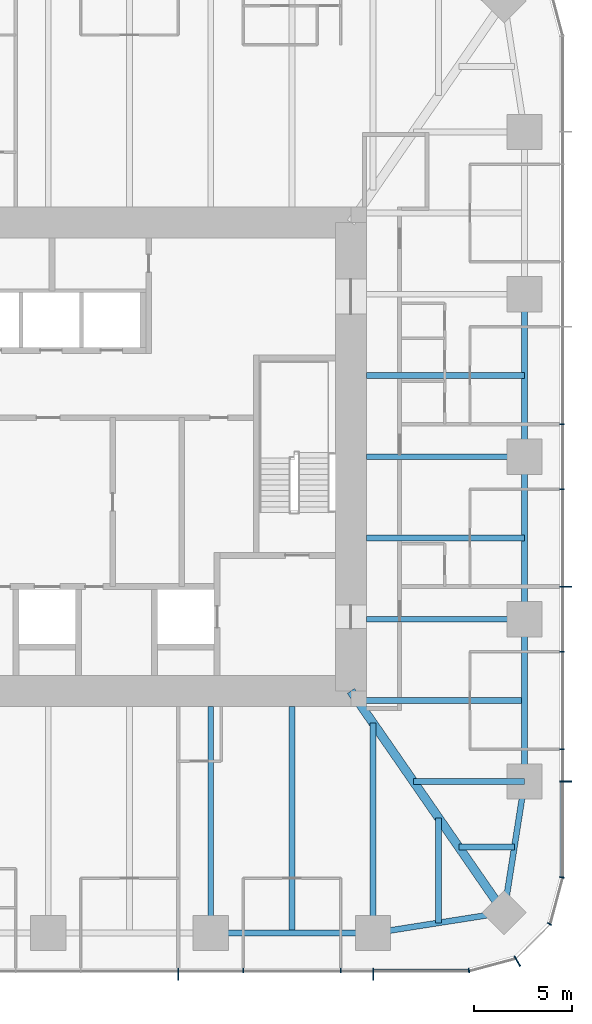
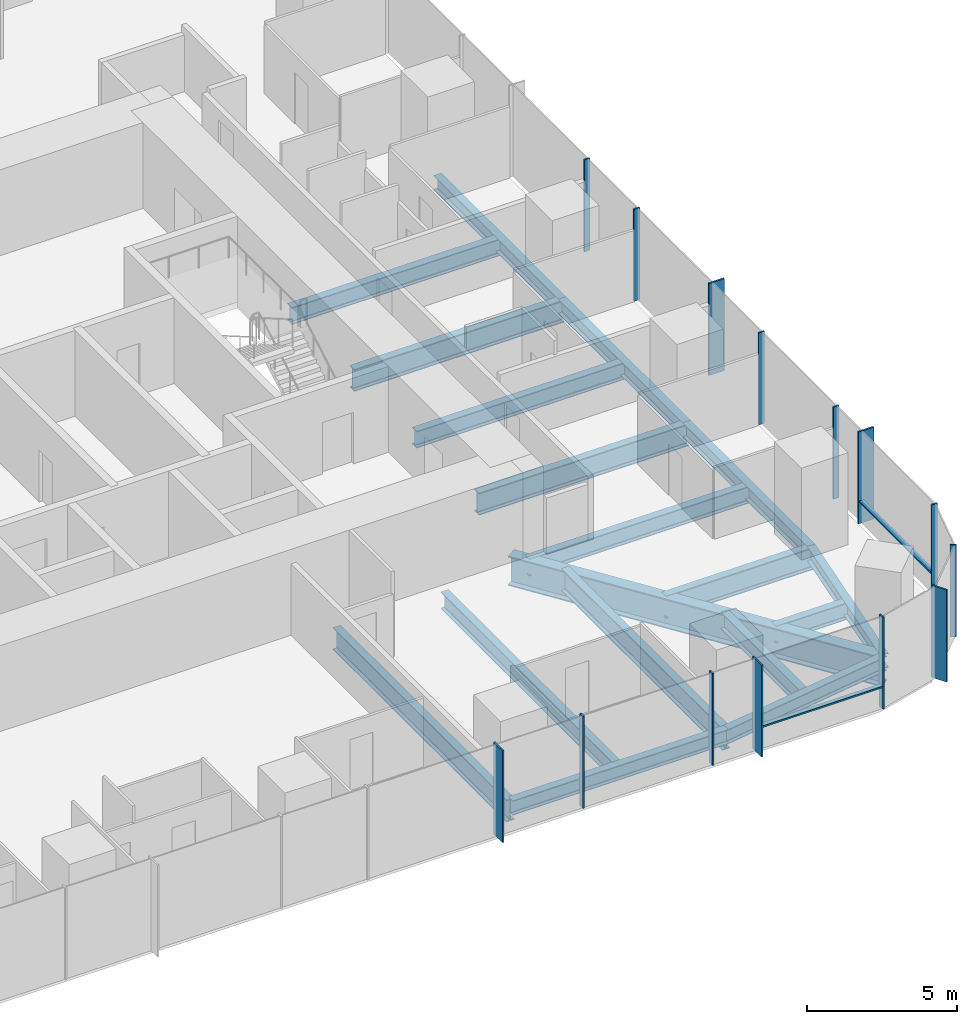
# One storey, part 4 of 12: 18 beams, 16 members, 3 elements without a shape of their own.
"""IFC4 building model written with IfcOpenShell, lengths in metres."""

from ifc_helpers import new_model, si_unit, direction, frame, origin, origin_2d, place, context, subcontext, project, spatial, rectangle, i_section, extrude, material, material_profile, profile_set, type_object, element, aggregate, save


model = new_model("IFC4")

# Units and contexts
model_context = context("Model", 3, precision=1e-05, world=origin(), true_north=direction((0.0, 1.0)))
body_context = subcontext(model_context, "Body", "Model", "MODEL_VIEW")
ifc_project = project(units=[si_unit("LENGTHUNIT", "METRE"), si_unit("AREAUNIT", "SQUARE_METRE"), si_unit("VOLUMEUNIT", "CUBIC_METRE"), si_unit("PLANEANGLEUNIT", "RADIAN"), si_unit("MASSUNIT", "GRAM", prefix="KILO")], contexts=[model_context])

# Site, building, storey
site_placement = place(None, origin())
site = spatial("IfcSite", under=ifc_project, at=site_placement, CompositionType="ELEMENT")
building_placement = place(site_placement, origin())
building = spatial("IfcBuilding", under=site, at=building_placement, Name="Khuree Lantern Residences", CompositionType="ELEMENT")
storey_placement = place(building_placement, frame((0.0, 0.0, 225.75)))
storey = spatial("IfcBuildingStorey", under=building, at=storey_placement, Name="L56", CompositionType="ELEMENT", Elevation=225.75)

# Beams
ifc_material_1 = material(Name="Steel S355", Category="steel")
ifc_material_profile_1 = material_profile(ifc_material_1, i_section(OverallWidth=0.300048828125, OverallDepth=0.68994140625, WebThickness=0.014404296875, FlangeThickness=0.027099609375, FilletRadius=0.027099609375, at=origin_2d()), Name="HE 700 A")
ifc_profile_set_1 = profile_set([ifc_material_profile_1], Name="Steel S355")
beam_type_1 = type_object("IfcBeamType", Name="B-32 SECONDARY BEAM HE 700 A", PredefinedType="BEAM", material=ifc_profile_set_1)
for number, where, z_axis, x_axis, name in (
    (1, (24.39990234375, 4.159912109375, -0.594970703125), (-1.0, 0.0, 0.0), (0.0, -1.0, 0.0), "Secondary beam E3"),
    (2, (24.39990234375, -4.159912109375, -0.594970703125), (-1.0, 0.0, 0.0), (0.0, -1.0, 0.0), "Secondary beam E4"),
):
    element("IfcBeam", number, at=place(storey_placement, frame(where, z_axis=z_axis, x_axis=x_axis)), inside=storey, type_object=beam_type_1, Name=name, PredefinedType="BEAM", context=body_context, shape_type="SweptSolid", body=[
        extrude(i_section(OverallWidth=0.300048828125, OverallDepth=0.68994140625, WebThickness=0.014404296875, FlangeThickness=0.027099609375, FilletRadius=0.027099609375, at=origin_2d()), origin(), (0.0, 0.0, 1.0), 8.099853515625),
    ])
beam_1_placement = place(storey_placement, frame((24.39990234375, -12.47998046875, -0.594970703125), z_axis=(-1.0, 0.0, 0.0), x_axis=(0.0, -1.0, 0.0)))
element("IfcBeam", 3, at=beam_1_placement, inside=storey, type_object=beam_type_1, Name="Secondary beam E5", PredefinedType="BEAM", context=body_context, shape_type="SweptSolid", body=[
    extrude(i_section(OverallWidth=0.300048828125, OverallDepth=0.68994140625, WebThickness=0.014404296875, FlangeThickness=0.027099609375, FilletRadius=0.027099609375, at=origin_2d()), origin(), (0.0, 0.0, 1.0), 8.56787109375),
])
beam_2_placement = place(storey_placement, frame((23.872802734375, -19.992919921875, -0.594970703125), z_axis=(-1.0, 0.0, 0.0), x_axis=(0.0, -1.0, 0.0)))
element("IfcBeam", 4, at=beam_2_placement, inside=storey, type_object=beam_type_1, Name="Secondary beam E6", PredefinedType="BEAM", context=body_context, shape_type="SweptSolid", body=[
    extrude(i_section(OverallWidth=0.300048828125, OverallDepth=0.68994140625, WebThickness=0.014404296875, FlangeThickness=0.027099609375, FilletRadius=0.027099609375, at=origin_2d()), origin(), (0.0, 0.0, 1.0), 2.845703125),
])
beam_3_placement = place(storey_placement, frame((19.992919921875, -23.872802734375, -0.594970703125), z_axis=(0.0, 1.0, 0.0), x_axis=(-1.0, 0.0, 0.0)))
element("IfcBeam", 5, at=beam_3_placement, inside=storey, type_object=beam_type_1, Name="Secondary beam S1", PredefinedType="BEAM", context=body_context, shape_type="SweptSolid", body=[
    extrude(i_section(OverallWidth=0.300048828125, OverallDepth=0.68994140625, WebThickness=0.014404296875, FlangeThickness=0.027099609375, FilletRadius=0.027099609375, at=origin_2d()), origin(), (0.0, 0.0, 1.0), 5.375732421875),
])
beam_4_placement = place(storey_placement, frame((12.47998046875, -24.39990234375, -0.594970703125), z_axis=(0.0, 1.0, 0.0), x_axis=(-1.0, 0.0, 0.0)))
element("IfcBeam", 6, at=beam_4_placement, inside=storey, type_object=beam_type_1, Name="Secondary beam S2", PredefinedType="BEAM", context=body_context, shape_type="SweptSolid", body=[
    extrude(i_section(OverallWidth=0.300048828125, OverallDepth=0.68994140625, WebThickness=0.014404296875, FlangeThickness=0.027099609375, FilletRadius=0.027099609375, at=origin_2d()), origin(), (0.0, 0.0, 1.0), 11.599853515625),
])
ifc_material_profile_2 = material_profile(ifc_material_1, i_section(OverallWidth=0.300048828125, OverallDepth=0.590087890625, WebThickness=0.012939453125, FlangeThickness=0.02490234375, FilletRadius=0.027099609375, at=origin_2d()), Name="HE 600 A")
ifc_profile_set_2 = profile_set([ifc_material_profile_2], Name="Steel S355")
beam_type_2 = type_object("IfcBeamType", Name="E-32 SPANDREL BEAM HE 600 A", PredefinedType="SPANDREL", material=ifc_profile_set_2)
for number, where, z_axis, x_axis, name in (
    (7, (24.39990234375, 8.320068359375, -0.544921875), (0.0, -1.0, 0.0), (1.0, 0.0, 0.0), "Spandrel beam E3"),
    (8, (24.39990234375, 0.0, -0.544921875), (0.0, -1.0, 0.0), (1.0, 0.0, 0.0), "Spandrel beam E4"),
):
    element("IfcBeam", number, at=place(storey_placement, frame(where, z_axis=z_axis, x_axis=x_axis)), inside=storey, type_object=beam_type_2, Name=name, PredefinedType="SPANDREL", context=body_context, shape_type="SweptSolid", body=[
        extrude(i_section(OverallWidth=0.300048828125, OverallDepth=0.590087890625, WebThickness=0.012939453125, FlangeThickness=0.02490234375, FilletRadius=0.027099609375, at=origin_2d()), origin(), (0.0, 0.0, 1.0), 8.320068359375),
    ])
beam_5_placement = place(storey_placement, frame((24.39990234375, -8.320068359375, -0.544921875), z_axis=(0.0, -1.0, 0.0), x_axis=(1.0, 0.0, 0.0)))
element("IfcBeam", 9, at=beam_5_placement, inside=storey, type_object=beam_type_2, Name="Spandrel beam E5", PredefinedType="SPANDREL", context=body_context, shape_type="SweptSolid", body=[
    extrude(i_section(OverallWidth=0.300048828125, OverallDepth=0.590087890625, WebThickness=0.012939453125, FlangeThickness=0.02490234375, FilletRadius=0.027099609375, at=origin_2d()), origin(), (0.0, 0.0, 1.0), 8.31982421875),
])
for number, where, z_axis, x_axis, name in (
    (10, (24.39990234375, -16.639892578125, -0.544921875), (-0.155299507442, -0.98786743189, 0.0), (0.98786743189, -0.155299507442, 0.0), "Spandrel beam E6"),
    (11, (23.345703125, -23.345703125, -0.544921875), (-0.98786743189, -0.155299507442, 0.0), (0.155299507442, -0.98786743189, 0.0), "Spandrel beam S1"),
):
    element("IfcBeam", number, at=place(storey_placement, frame(where, z_axis=z_axis, x_axis=x_axis)), inside=storey, type_object=beam_type_2, Name=name, PredefinedType="SPANDREL", context=body_context, shape_type="SweptSolid", body=[
        extrude(i_section(OverallWidth=0.300048828125, OverallDepth=0.590087890625, WebThickness=0.012939453125, FlangeThickness=0.02490234375, FilletRadius=0.027099609375, at=origin_2d()), origin(), (0.0, 0.0, 1.0), 6.7880859375),
    ])
beam_6_placement = place(storey_placement, frame((16.639892578125, -24.39990234375, -0.544921875), z_axis=(-1.0, 0.0, 0.0), x_axis=(0.0, -1.0, 0.0)))
element("IfcBeam", 12, at=beam_6_placement, inside=storey, type_object=beam_type_2, Name="Spandrel beam S2", PredefinedType="SPANDREL", context=body_context, shape_type="SweptSolid", body=[
    extrude(i_section(OverallWidth=0.300048828125, OverallDepth=0.590087890625, WebThickness=0.012939453125, FlangeThickness=0.02490234375, FilletRadius=0.027099609375, at=origin_2d()), origin(), (0.0, 0.0, 1.0), 8.31982421875),
])

# Curtain wall, member
ifc_material_2 = material(Name="Bronze anodised aluminium", Category="aluminium")
curtain_wall_type_1 = type_object("IfcCurtainWallType", Name="CW-T2 TOWER CORNER CURTAIN WALL", PredefinedType="USERDEFINED", material=ifc_material_2)
curtain_wall_1_placement = place(storey_placement, origin())
curtain_wall_1 = element("IfcCurtainWall", 13, at=curtain_wall_1_placement, inside=storey, type_object=curtain_wall_type_1, Name="L56 SOUTH-EAST CORNER CURTAIN WALL", ObjectType="Faceted corner curtain wall", PredefinedType="USERDEFINED")
ifc_material_profile_3 = material_profile(ifc_material_2, rectangle(XDim=0.06494140625, YDim=0.60009765625, at=origin_2d()), Name="F1 65X600")
ifc_profile_set_3 = profile_set([ifc_material_profile_3], Name="Bronze anodised aluminium")
member_type_1 = type_object("IfcMemberType", Name="F1 BRONZE FIN MULLION TOWER 65X600", PredefinedType="MULLION", material=ifc_profile_set_3)
member_1_placement = place(storey_placement, frame((24.02490234375, -25.8369140625, 0.0), z_axis=(0.0, 0.0, 1.0), x_axis=(0.866025409797, 0.499999989586, 0.0)))
member_1 = element("IfcMember", 14, at=member_1_placement, type_object=member_type_1, Name="L56 SOUTH-EAST CORNER FIN MULLION 2", PredefinedType="MULLION", context=body_context, shape_type="SweptSolid", body=[
    extrude(rectangle(XDim=0.06494140625, YDim=0.60009765625, at=origin_2d()), origin(), (0.0, 0.0, 1.0), 3.75),
])

# Curtain wall, members
curtain_wall_type_2 = type_object("IfcCurtainWallType", Name="CW-T1 TOWER FACE CURTAIN WALL", PredefinedType="USERDEFINED", material=ifc_material_2)
curtain_wall_2_placement = place(storey_placement, origin())
curtain_wall_2 = element("IfcCurtainWall", 15, at=curtain_wall_2_placement, inside=storey, type_object=curtain_wall_type_2, Name="L56 EAST FACE CURTAIN WALL", ObjectType="Stick-built curtain wall", PredefinedType="USERDEFINED")
member_2_placement = place(storey_placement, frame((26.5, -16.639892578125, 0.0), z_axis=(0.0, 0.0, 1.0), x_axis=(0.0, 1.0, 0.0)))
member_2 = element("IfcMember", 16, at=member_2_placement, type_object=member_type_1, Name="L56 EAST FACE FIN MULLION 5", PredefinedType="MULLION", context=body_context, shape_type="SweptSolid", body=[
    extrude(rectangle(XDim=0.06494140625, YDim=0.60009765625, at=origin_2d()), origin(), (0.0, 0.0, 1.0), 3.75),
])
member_3_placement = place(storey_placement, frame((26.5, -6.656005859375, 0.0), z_axis=(0.0, 0.0, 1.0), x_axis=(0.0, 1.0, 0.0)))
member_3 = element("IfcMember", 17, at=member_3_placement, type_object=member_type_1, Name="L56 EAST FACE FIN MULLION 8", PredefinedType="MULLION", context=body_context, shape_type="SweptSolid", body=[
    extrude(rectangle(XDim=0.06494140625, YDim=0.60009765625, at=origin_2d()), origin(), (0.0, 0.0, 1.0), 3.75),
])

curtain_wall_3_placement = place(storey_placement, origin())
curtain_wall_3 = element("IfcCurtainWall", 18, at=curtain_wall_3_placement, inside=storey, type_object=curtain_wall_type_2, Name="L56 SOUTH FACE CURTAIN WALL", ObjectType="Stick-built curtain wall", PredefinedType="USERDEFINED")
member_4_placement = place(storey_placement, frame((6.656005859375, -26.5, 0.0), z_axis=(0.0, 0.0, 1.0), x_axis=(1.0, 0.0, 0.0)))
member_4 = element("IfcMember", 19, at=member_4_placement, type_object=member_type_1, Name="L56 SOUTH FACE FIN MULLION 53", PredefinedType="MULLION", context=body_context, shape_type="SweptSolid", body=[
    extrude(rectangle(XDim=0.06494140625, YDim=0.60009765625, at=origin_2d()), origin(), (0.0, 0.0, 1.0), 3.75),
])
member_5_placement = place(storey_placement, frame((16.639892578125, -26.5, 0.0), z_axis=(0.0, 0.0, 1.0), x_axis=(1.0, 0.0, 0.0)))
member_5 = element("IfcMember", 20, at=member_5_placement, type_object=member_type_1, Name="L56 SOUTH FACE FIN MULLION 56", PredefinedType="MULLION", context=body_context, shape_type="SweptSolid", body=[
    extrude(rectangle(XDim=0.06494140625, YDim=0.60009765625, at=origin_2d()), origin(), (0.0, 0.0, 1.0), 3.75),
])

# Beams
ifc_material_profile_4 = material_profile(ifc_material_1, i_section(OverallWidth=0.300048828125, OverallDepth=0.89990234375, WebThickness=0.0185546875, FlangeThickness=0.034912109375, FilletRadius=0.030029296875, at=origin_2d()), Name="HE 900 B")
ifc_profile_set_4 = profile_set([ifc_material_profile_4], Name="Steel S355")
beam_type_3 = type_object("IfcBeamType", Name="G-32 GIRDER HE 900 B", PredefinedType="BEAM", material=ifc_profile_set_4)
for number, where, z_axis, x_axis, name in (
    (21, (24.39990234375, 0.0, -0.699951171875), (-1.0, 0.0, 0.0), (0.0, -1.0, 0.0), "Girder E3"),
    (22, (24.39990234375, -8.320068359375, -0.699951171875), (-1.0, 0.0, 0.0), (0.0, -1.0, 0.0), "Girder E4"),
):
    element("IfcBeam", number, at=place(storey_placement, frame(where, z_axis=z_axis, x_axis=x_axis)), inside=storey, type_object=beam_type_3, Name=name, PredefinedType="BEAM", context=body_context, shape_type="SweptSolid", body=[
        extrude(i_section(OverallWidth=0.300048828125, OverallDepth=0.89990234375, WebThickness=0.0185546875, FlangeThickness=0.034912109375, FilletRadius=0.030029296875, at=origin_2d()), origin(), (0.0, 0.0, 1.0), 8.099853515625),
    ])
beam_7_placement = place(storey_placement, frame((24.39990234375, -16.639892578125, -0.699951171875), z_axis=(-1.0, 0.0, 0.0), x_axis=(0.0, -1.0, 0.0)))
element("IfcBeam", 23, at=beam_7_placement, inside=storey, type_object=beam_type_3, Name="Girder E5", PredefinedType="BEAM", context=body_context, shape_type="SweptSolid", body=[
    extrude(i_section(OverallWidth=0.300048828125, OverallDepth=0.89990234375, WebThickness=0.0185546875, FlangeThickness=0.034912109375, FilletRadius=0.030029296875, at=origin_2d()), origin(), (0.0, 0.0, 1.0), 5.69140625),
])
beam_8_placement = place(storey_placement, frame((16.639892578125, -24.39990234375, -0.699951171875), z_axis=(0.0, 1.0, 0.0), x_axis=(-1.0, 0.0, 0.0)))
element("IfcBeam", 24, at=beam_8_placement, inside=storey, type_object=beam_type_3, Name="Girder S1", PredefinedType="BEAM", context=body_context, shape_type="SweptSolid", body=[
    extrude(i_section(OverallWidth=0.300048828125, OverallDepth=0.89990234375, WebThickness=0.0185546875, FlangeThickness=0.034912109375, FilletRadius=0.030029296875, at=origin_2d()), origin(), (0.0, 0.0, 1.0), 10.751220703125),
])
beam_9_placement = place(storey_placement, frame((8.320068359375, -24.39990234375, -0.699951171875), z_axis=(0.0, 1.0, 0.0), x_axis=(-1.0, 0.0, 0.0)))
element("IfcBeam", 25, at=beam_9_placement, inside=storey, type_object=beam_type_3, Name="Girder S2", PredefinedType="BEAM", context=body_context, shape_type="SweptSolid", body=[
    extrude(i_section(OverallWidth=0.300048828125, OverallDepth=0.89990234375, WebThickness=0.0185546875, FlangeThickness=0.034912109375, FilletRadius=0.030029296875, at=origin_2d()), origin(), (0.0, 0.0, 1.0), 11.599853515625),
])
ifc_material_profile_5 = material_profile(ifc_material_1, i_section(OverallWidth=0.449951171875, OverallDepth=1.199951171875, WebThickness=0.02490234375, FlangeThickness=0.044921875, at=origin_2d()), Name="WELDED I 1200X450X25X45")
ifc_profile_set_5 = profile_set([ifc_material_profile_5], Name="Steel S355")
beam_type_4 = type_object("IfcBeamType", Name="GD-32 CORNER GIRDER WELDED I 1200X450X25X45", PredefinedType="BEAM", material=ifc_profile_set_5)
beam_10_placement = place(storey_placement, frame((23.345703125, -23.345703125, -0.85009765625), z_axis=(-0.56876813501, 0.822497907959, 0.0), x_axis=(-0.822497907959, -0.56876813501, 0.0)))
element("IfcBeam", 26, at=beam_10_placement, inside=storey, type_object=beam_type_4, Name="Corner girder SE", PredefinedType="BEAM", context=body_context, shape_type="SweptSolid", body=[
    extrude(i_section(OverallWidth=0.449951171875, OverallDepth=1.199951171875, WebThickness=0.02490234375, FlangeThickness=0.044921875, at=origin_2d()), origin(), (0.0, 0.0, 1.0), 13.794189453125),
])

# Member
ifc_material_profile_6 = material_profile(ifc_material_2, rectangle(XDim=0.06494140625, YDim=0.219970703125, at=origin_2d()), Name="M1 65X220")
ifc_profile_set_6 = profile_set([ifc_material_profile_6], Name="Bronze anodised aluminium")
member_type_2 = type_object("IfcMemberType", Name="M1 BRONZE MULLION TOWER 65X220", PredefinedType="MULLION", material=ifc_profile_set_6)
member_6_placement = place(storey_placement, frame((21.544921875, -26.311767578125, 0.0), z_axis=(0.0, 0.0, 1.0), x_axis=(0.991444862943, 0.130526180298, 0.0)))
member_6 = element("IfcMember", 27, at=member_6_placement, type_object=member_type_2, Name="L56 SOUTH-EAST CORNER MULLION 1", PredefinedType="MULLION", context=body_context, shape_type="SweptSolid", body=[
    extrude(rectangle(XDim=0.06494140625, YDim=0.219970703125, at=origin_2d()), origin(), (0.0, 0.0, 1.0), 3.75),
])

member_7_placement = place(storey_placement, frame((25.67236328125, -23.929931640625, 0.0), z_axis=(0.0, 0.0, 1.0), x_axis=(0.499999989586, 0.866025409797, 0.0)))
member_7 = element("IfcMember", 28, at=member_7_placement, type_object=member_type_2, Name="L56 SOUTH-EAST CORNER MULLION 3", PredefinedType="MULLION", context=body_context, shape_type="SweptSolid", body=[
    extrude(rectangle(XDim=0.06494140625, YDim=0.219970703125, at=origin_2d()), origin(), (0.0, 0.0, 1.0), 3.75),
])

aggregate(curtain_wall_1, [member_6, member_1, member_7])

member_8_placement = place(storey_placement, frame((26.311767578125, -21.544921875, 0.0), z_axis=(0.0, 0.0, 1.0), x_axis=(0.130526180298, 0.991444862943, 0.0)))
member_8 = element("IfcMember", 29, at=member_8_placement, type_object=member_type_2, Name="L56 EAST FACE MULLION 4", PredefinedType="MULLION", context=body_context, shape_type="SweptSolid", body=[
    extrude(rectangle(XDim=0.06494140625, YDim=0.219970703125, at=origin_2d()), origin(), (0.0, 0.0, 1.0), 3.75),
])

member_9_placement = place(storey_placement, frame((26.31005859375, -14.97607421875, 0.0), z_axis=(0.0, 0.0, 1.0), x_axis=(0.0, 1.0, 0.0)))
member_9 = element("IfcMember", 30, at=member_9_placement, type_object=member_type_2, Name="L56 EAST FACE MULLION 6", PredefinedType="MULLION", context=body_context, shape_type="SweptSolid", body=[
    extrude(rectangle(XDim=0.06494140625, YDim=0.219970703125, at=origin_2d()), origin(), (0.0, 0.0, 1.0), 3.75),
])

member_10_placement = place(storey_placement, frame((26.31005859375, -9.98388671875, 0.0), z_axis=(0.0, 0.0, 1.0), x_axis=(0.0, 1.0, 0.0)))
member_10 = element("IfcMember", 31, at=member_10_placement, type_object=member_type_2, Name="L56 EAST FACE MULLION 7", PredefinedType="MULLION", context=body_context, shape_type="SweptSolid", body=[
    extrude(rectangle(XDim=0.06494140625, YDim=0.219970703125, at=origin_2d()), origin(), (0.0, 0.0, 1.0), 3.75),
])

member_11_placement = place(storey_placement, frame((26.31005859375, -1.6640625, 0.0), z_axis=(0.0, 0.0, 1.0), x_axis=(0.0, 1.0, 0.0)))
member_11 = element("IfcMember", 32, at=member_11_placement, type_object=member_type_2, Name="L56 EAST FACE MULLION 9", PredefinedType="MULLION", context=body_context, shape_type="SweptSolid", body=[
    extrude(rectangle(XDim=0.06494140625, YDim=0.219970703125, at=origin_2d()), origin(), (0.0, 0.0, 1.0), 3.75),
])

member_12_placement = place(storey_placement, frame((26.31005859375, 1.6640625, 0.0), z_axis=(0.0, 0.0, 1.0), x_axis=(0.0, 1.0, 0.0)))
member_12 = element("IfcMember", 33, at=member_12_placement, type_object=member_type_2, Name="L56 EAST FACE MULLION 10", PredefinedType="MULLION", context=body_context, shape_type="SweptSolid", body=[
    extrude(rectangle(XDim=0.06494140625, YDim=0.219970703125, at=origin_2d()), origin(), (0.0, 0.0, 1.0), 3.75),
])

member_13_placement = place(storey_placement, frame((9.98388671875, -26.31005859375, 0.0), z_axis=(0.0, 0.0, 1.0), x_axis=(1.0, 0.0, 0.0)))
member_13 = element("IfcMember", 34, at=member_13_placement, type_object=member_type_2, Name="L56 SOUTH FACE MULLION 54", PredefinedType="MULLION", context=body_context, shape_type="SweptSolid", body=[
    extrude(rectangle(XDim=0.06494140625, YDim=0.219970703125, at=origin_2d()), origin(), (0.0, 0.0, 1.0), 3.75),
])

member_14_placement = place(storey_placement, frame((14.97607421875, -26.31005859375, 0.0), z_axis=(0.0, 0.0, 1.0), x_axis=(1.0, 0.0, 0.0)))
member_14 = element("IfcMember", 35, at=member_14_placement, type_object=member_type_2, Name="L56 SOUTH FACE MULLION 55", PredefinedType="MULLION", context=body_context, shape_type="SweptSolid", body=[
    extrude(rectangle(XDim=0.06494140625, YDim=0.219970703125, at=origin_2d()), origin(), (0.0, 0.0, 1.0), 3.75),
])

ifc_material_profile_7 = material_profile(ifc_material_2, rectangle(XDim=0.179931640625, YDim=0.06494140625, at=origin_2d()), Name="T1 180X65")
ifc_profile_set_7 = profile_set([ifc_material_profile_7], Name="Bronze anodised aluminium")
member_type_3 = type_object("IfcMemberType", Name="TRANSOM T1 TOWER 180X65", PredefinedType="USERDEFINED", material=ifc_profile_set_7)
member_15_placement = place(storey_placement, frame((26.320068359375, -21.50146484375, 0.89990234375), z_axis=(0.0, 1.0, 0.0), x_axis=(-1.0, 0.0, 0.0)))
member_15 = element("IfcMember", 36, at=member_15_placement, type_object=member_type_3, Name="L56 EAST FACE TRANSOM 4.1", ObjectType="Transom", PredefinedType="USERDEFINED", context=body_context, shape_type="SweptSolid", body=[
    extrude(rectangle(XDim=0.179931640625, YDim=0.06494140625, at=origin_2d()), origin(), (0.0, 0.0, 1.0), 4.828857421875),
])

aggregate(curtain_wall_2, [member_8, member_2, member_9, member_10, member_3, member_11, member_12, member_15])

member_16_placement = place(storey_placement, frame((16.672607421875, -26.320068359375, 0.89990234375), z_axis=(1.0, 0.0, 0.0), x_axis=(0.0, 1.0, 0.0)))
member_16 = element("IfcMember", 37, at=member_16_placement, type_object=member_type_3, Name="L56 SOUTH FACE TRANSOM 56.1", ObjectType="Transom", PredefinedType="USERDEFINED", context=body_context, shape_type="SweptSolid", body=[
    extrude(rectangle(XDim=0.179931640625, YDim=0.06494140625, at=origin_2d()), origin(), (0.0, 0.0, 1.0), 4.828857421875),
])

aggregate(curtain_wall_3, [member_4, member_13, member_14, member_5, member_16])

save(model, "model.ifc")
